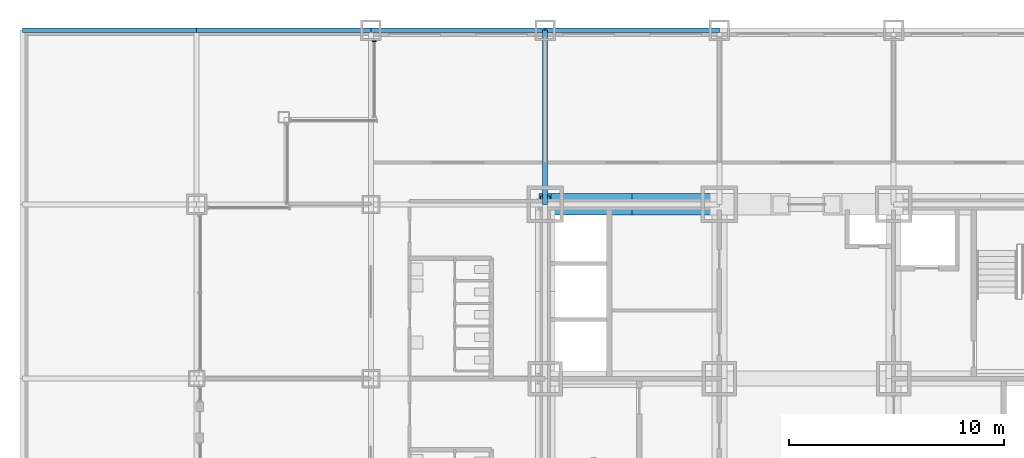
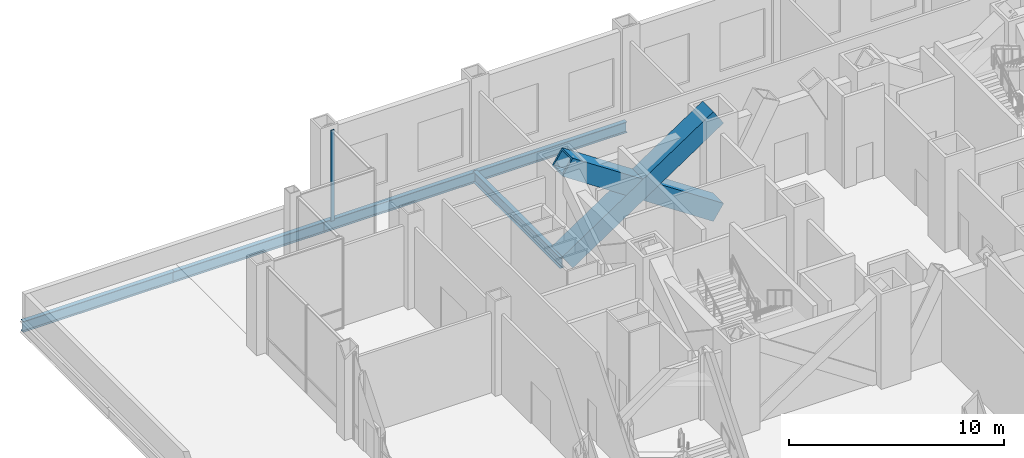
# One storey, part 13 of 26: 5 beams, 3 members, 1 element without a shape of its own.
"""IFC4 building model written with IfcOpenShell, lengths in metres."""

from ifc_helpers import new_model, si_unit, direction, frame, origin, origin_2d, place, context, subcontext, project, spatial, rectangle, hollow_rectangle, i_section, extrude, material, material_profile, profile_set, type_object, element, aggregate, save


model = new_model("IFC4")

# Units and contexts
model_context = context("Model", 3, precision=1e-05, world=origin(), true_north=direction((0.0, 1.0)))
body_context = subcontext(model_context, "Body", "Model", "MODEL_VIEW")
ifc_project = project(units=[si_unit("LENGTHUNIT", "METRE"), si_unit("AREAUNIT", "SQUARE_METRE"), si_unit("VOLUMEUNIT", "CUBIC_METRE"), si_unit("PLANEANGLEUNIT", "RADIAN"), si_unit("MASSUNIT", "GRAM", prefix="KILO")], contexts=[model_context])

# Site, building, storey
site_placement = place(None, origin())
site = spatial("IfcSite", under=ifc_project, at=site_placement, CompositionType="ELEMENT")
building_placement = place(site_placement, origin())
building = spatial("IfcBuilding", under=site, at=building_placement, Name="Kopane Lantern Tower", CompositionType="ELEMENT")
storey_placement = place(building_placement, frame((0.0, 0.0, 16.800048828125)))
storey = spatial("IfcBuildingStorey", under=building, at=storey_placement, Name="L03", CompositionType="ELEMENT", Elevation=16.800048828125)

# Members
ifc_material_1 = material(Name="Steel S355JR", Category="steel")
ifc_material_profile_1 = material_profile(ifc_material_1, hollow_rectangle(XDim=1.0, YDim=1.0, WallThickness=0.10009765625, at=origin_2d()), Name="BOX 1000x1000x100")
ifc_profile_set_1 = profile_set([ifc_material_profile_1], Name="Steel S355JR")
member_type_1 = type_object("IfcMemberType", Name="BRACE BOX 1000x1000x100", PredefinedType="BRACE", material=ifc_profile_set_1)
for number, where, z_axis, x_axis, name in (
    (1, (16.199951171875, 40.5, -0.25), (0.832058010752, 0.0, 0.55468862143), (0.0, 1.0, 0.0), "Core brace L03"),
    (2, (24.300048828125, 40.5, -0.25), (-0.832058010752, 0.0, 0.55468862143), (0.0, -1.0, 0.0), "Core brace L03"),
):
    element("IfcMember", number, at=place(storey_placement, frame(where, z_axis=z_axis, x_axis=x_axis)), inside=storey, type_object=member_type_1, Name=name, PredefinedType="BRACE", context=body_context, shape_type="SweptSolid", body=[
        extrude(hollow_rectangle(XDim=1.0, YDim=1.0, WallThickness=0.10009765625, at=origin_2d()), origin(), (0.0, 0.0, 1.0), 9.735107421875),
    ])

# Beams
ifc_material_2 = material(Name="Steel S355JR", Category="steel")
ifc_material_profile_2 = material_profile(ifc_material_2, i_section(OverallWidth=0.22900390625, OverallDepth=0.6123046875, WebThickness=0.011962890625, FlangeThickness=0.01953125, FilletRadius=0.0126953125, at=origin_2d()), Name="UB 610x229x125")
ifc_profile_set_2 = profile_set([ifc_material_profile_2], Name="Steel S355JR")
beam_type = type_object("IfcBeamType", Name="GIRDER UB 610x229x125", PredefinedType="BEAM", material=ifc_profile_set_2)
for number, where, z_axis, x_axis, name in (
    (3, (-8.10009765625, 48.60009765625, -0.55615234375), (1.0, 0.0, 0.0), (0.0, 1.0, 0.0), "Girder L03"),
    (4, (0.0, 48.60009765625, -0.55615234375), (1.0, 0.0, 0.0), (0.0, 1.0, 0.0), "Girder L03"),
):
    element("IfcBeam", number, at=place(storey_placement, frame(where, z_axis=z_axis, x_axis=x_axis)), inside=storey, type_object=beam_type, Name=name, PredefinedType="BEAM", context=body_context, shape_type="SweptSolid", body=[
        extrude(i_section(OverallWidth=0.22900390625, OverallDepth=0.6123046875, WebThickness=0.011962890625, FlangeThickness=0.01953125, FilletRadius=0.0126953125, at=origin_2d()), origin(), (0.0, 0.0, 1.0), 8.10009765625),
    ])
beam_placement = place(storey_placement, frame((8.10009765625, 48.60009765625, -0.55615234375), z_axis=(1.0, 0.0, 0.0), x_axis=(0.0, 1.0, 0.0)))
element("IfcBeam", 5, at=beam_placement, inside=storey, type_object=beam_type, Name="Girder L03", PredefinedType="BEAM", context=body_context, shape_type="SweptSolid", body=[
    extrude(i_section(OverallWidth=0.22900390625, OverallDepth=0.6123046875, WebThickness=0.011962890625, FlangeThickness=0.01953125, FilletRadius=0.0126953125, at=origin_2d()), origin(), (0.0, 0.0, 1.0), 8.099853515625),
])
for number, where, z_axis, x_axis, name in (
    (6, (16.199951171875, 40.5, -0.55615234375), (0.0, 1.0, 0.0), (-1.0, 0.0, 0.0), "Girder L03"),
    (7, (16.199951171875, 48.60009765625, -0.55615234375), (1.0, 0.0, 0.0), (0.0, 1.0, 0.0), "Girder L03"),
):
    element("IfcBeam", number, at=place(storey_placement, frame(where, z_axis=z_axis, x_axis=x_axis)), inside=storey, type_object=beam_type, Name=name, PredefinedType="BEAM", context=body_context, shape_type="SweptSolid", body=[
        extrude(i_section(OverallWidth=0.22900390625, OverallDepth=0.6123046875, WebThickness=0.011962890625, FlangeThickness=0.01953125, FilletRadius=0.0126953125, at=origin_2d()), origin(), (0.0, 0.0, 1.0), 8.10009765625),
    ])

# Curtain wall, member
ifc_material_3 = material(Name="Aluminium and clear glass", Category="aluminium")
curtain_wall_type = type_object("IfcCurtainWallType", Name="CURTAIN WALL CW2 PODIUM UPPER", PredefinedType="USERDEFINED", material=ifc_material_3)
curtain_wall_placement = place(storey_placement, origin())
curtain_wall = element("IfcCurtainWall", 8, at=curtain_wall_placement, inside=storey, type_object=curtain_wall_type, Name="Curtain wall CW2 W L03", ObjectType="CURTAIN WALL", PredefinedType="USERDEFINED")
ifc_material_4 = material(Name="Aluminium", Category="aluminium")
ifc_material_profile_3 = material_profile(ifc_material_4, rectangle(XDim=0.06005859375, YDim=0.179931640625, at=origin_2d()), Name="AL 60x180")
ifc_profile_set_3 = profile_set([ifc_material_profile_3], Name="Aluminium")
member_type_2 = type_object("IfcMemberType", Name="MULLION CW2-M 60x180", PredefinedType="MULLION", material=ifc_profile_set_3)
member_placement = place(storey_placement, frame((8.25, 48.090087890625, 0.0), z_axis=(0.0, 0.0, 1.0), x_axis=(0.0, -1.0, 0.0)))
member = element("IfcMember", 9, at=member_placement, type_object=member_type_2, Name="CW2 mullion 1", PredefinedType="MULLION", context=body_context, shape_type="SweptSolid", body=[
    extrude(rectangle(XDim=0.06005859375, YDim=0.179931640625, at=origin_2d()), origin(), (0.0, 0.0, 1.0), 5.14990234375),
])
aggregate(curtain_wall, [member])

save(model, "model.ifc")
